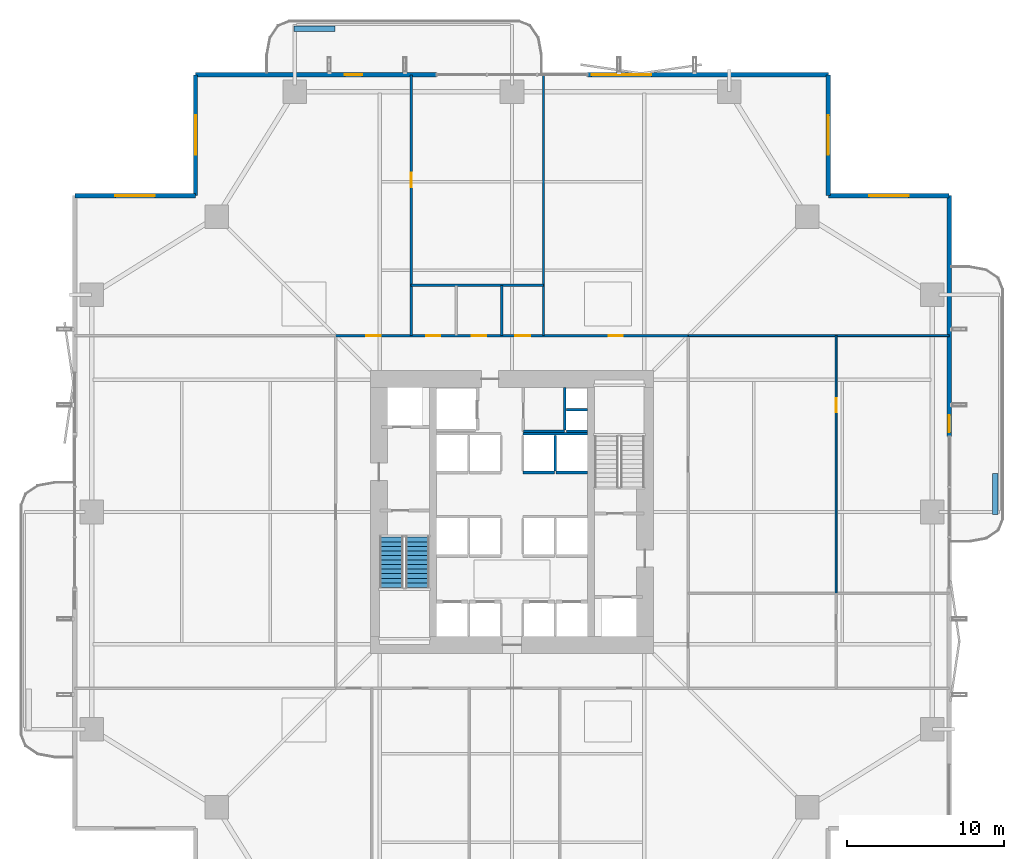
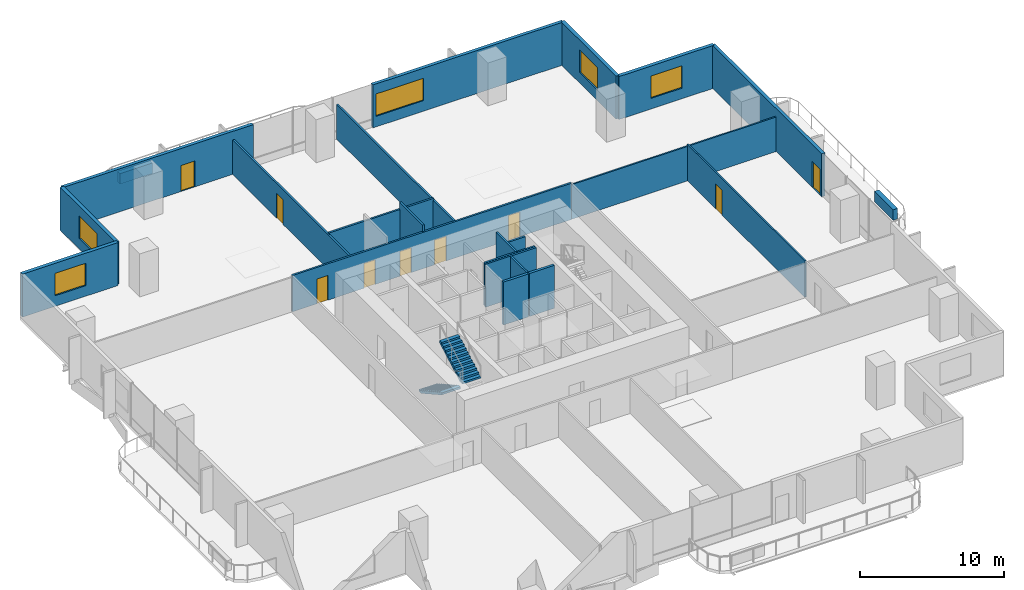
# One storey, part 19 of 24: 24 walls, 9 doors, 5 windows, 2 stair flights, 14 openings, 1 element without a shape of its own.
"""IFC4 building model written with IfcOpenShell, lengths in metres."""

from ifc_helpers import new_model, si_unit, direction, frame, frame_2d, origin, place, context, subcontext, project, spatial, polyline, rectangle, outline, extrude, material, layer, layer_set, type_object, element, fill, aggregate, save


model = new_model("IFC4")

# Units and contexts
model_context = context("Model", 3, precision=1e-05, world=origin(), true_north=direction((0.0, 1.0)))
body_context = subcontext(model_context, "Body", "Model", "MODEL_VIEW")
ifc_project = project(units=[si_unit("LENGTHUNIT", "METRE"), si_unit("AREAUNIT", "SQUARE_METRE"), si_unit("VOLUMEUNIT", "CUBIC_METRE"), si_unit("PLANEANGLEUNIT", "RADIAN"), si_unit("MASSUNIT", "GRAM", prefix="KILO")], contexts=[model_context])

# Site, building, storey
site_placement = place(None, origin())
site = spatial("IfcSite", under=ifc_project, at=site_placement, CompositionType="ELEMENT")
building_placement = place(site_placement, origin())
building = spatial("IfcBuilding", under=site, at=building_placement, Name="Belovzor Exchange Tower", CompositionType="ELEMENT")
storey_placement = place(building_placement, frame((0.0, 0.0, 96.300048828125)))
storey = spatial("IfcBuildingStorey", under=building, at=storey_placement, Name="L23", CompositionType="ELEMENT", Elevation=96.300048828125)

# Wall
ifc_material_1 = material(Name="Acoustic Plasterboard on Galvanised Studs", Category="gypsum")
ifc_layer_1 = layer(ifc_material_1, 0.1201171875)
ifc_layer_set_1 = layer_set([ifc_layer_1], Name="Acoustic Plasterboard on Galvanised Studs")
wall_type_1 = type_object("IfcWallType", Name="Acoustic Double-Stud Partition Wall 120", PredefinedType="PARTITIONING", material=ifc_layer_set_1)
wall_1_placement = place(storey_placement, frame((40.0, 40.0, 0.0), z_axis=(0.0, 0.0, 1.0), x_axis=(1.0, 0.0, 0.0)))
element("IfcWall", 1, at=wall_1_placement, inside=storey, type_object=wall_type_1, Name="W-P120 Partition Wall W-L23-END-NE", PredefinedType="PARTITIONING", context=body_context, shape_type="SweptSolid", body=[
    extrude(rectangle(XDim=16.570068359375, YDim=0.1201171875, at=frame_2d((8.28515625, 0.0))), origin(), (0.0, 0.0, 1.0), 2.93505859375),
])

# Wall, opening, door
wall_2_placement = place(storey_placement, frame((49.387939453125, 23.637939453125, 0.0), z_axis=(0.0, 0.0, 1.0), x_axis=(0.0, 1.0, 0.0)))
wall_2 = element("IfcWall", 2, at=wall_2_placement, inside=storey, type_object=wall_type_1, Name="W-P120 Partition Wall W-L23-EHDIV-1", PredefinedType="PARTITIONING", context=body_context, shape_type="SweptSolid", body=[
    extrude(rectangle(XDim=16.362060546875, YDim=0.1201171875, at=frame_2d((8.18115234375, 0.0))), origin(), (0.0, 0.0, 1.0), 3.0849609375),
])
opening_1_placement = place(wall_2_placement, frame((11.49609375, 0.0, 0.0)))
opening_1 = element("IfcOpeningElement", 3, at=opening_1_placement, cuts=wall_2, Name="Opening D-INT-090", PredefinedType="OPENING", context=body_context, shape_type="SweptSolid", body=[
    extrude(rectangle(XDim=0.89990234375, YDim=2.10009765625, at=frame_2d((0.449951171875, 1.050048828125))), frame((0.0, 0.070068359375, 0.0), z_axis=(0.0, -1.0, 0.0), x_axis=(1.0, 0.0, 0.0)), (0.0, 0.0, 1.0), 0.14013671875),
])
ifc_material_2 = material(Name="Veneered Hardwood Acoustic Leaf", Category="wood")
door_type_1 = type_object("IfcDoorType", Name="Trading Suite Acoustic Single Door 900x2100", OperationType="NOTDEFINED", PredefinedType="DOOR", material=ifc_material_2)
door_1_placement = place(opening_1_placement, origin())
door_1 = element("IfcDoor", 4, at=door_1_placement, inside=storey, type_object=door_type_1, Name="D-INT-090 Trading Suite Acoustic Single Door 900x2100", OperationType="SINGLE_SWING_RIGHT", OverallHeight=2.10009765625, OverallWidth=0.89990234375, PredefinedType="DOOR", context=body_context, shape_type="SweptSolid", body=[
    extrude(rectangle(XDim=0.89990234375, YDim=2.10009765625, at=frame_2d((0.449951171875, 1.050048828125))), frame((0.0, 0.02490234375, 0.0), z_axis=(0.0, -1.0, 0.0), x_axis=(1.0, 0.0, 0.0)), (0.0, 0.0, 1.0), 0.050048828125),
])
fill(opening_1, door_1)

# Walls
ifc_material_3 = material(Name="Fire-Rated Gypsum Block and Mineral Wool", Category="gypsum")
ifc_layer_2 = layer(ifc_material_3, 0.14990234375)
ifc_layer_set_2 = layer_set([ifc_layer_2], Name="Fire-Rated Gypsum Block and Mineral Wool")
wall_type_2 = type_object("IfcWallType", Name="Fire-Rated Gypsum Block Corridor Wall 150", PredefinedType="PARTITIONING", material=ifc_layer_set_2)
wall_3_placement = place(storey_placement, frame((29.52490234375, 33.925048828125, 0.0), z_axis=(0.0, 0.0, 1.0), x_axis=(1.0, 0.0, 0.0)))
element("IfcWall", 5, at=wall_3_placement, inside=storey, type_object=wall_type_2, Name="W-P150 Partition Wall W-CRV-L23-S", PredefinedType="PARTITIONING", context=body_context, shape_type="SweptSolid", body=[
    extrude(rectangle(XDim=2.625, YDim=0.14990234375, at=frame_2d((1.3125, 0.0))), origin(), (0.0, 0.0, 1.0), 3.64990234375),
])
wall_4_placement = place(storey_placement, frame((22.39990234375, 43.199951171875, 0.0), z_axis=(0.0, 0.0, 1.0), x_axis=(1.0, 0.0, 0.0)))
element("IfcWall", 6, at=wall_4_placement, inside=storey, type_object=wall_type_2, Name="W-P150 Partition Wall W-L23-WCN", PredefinedType="PARTITIONING", context=body_context, shape_type="SweptSolid", body=[
    extrude(rectangle(XDim=8.400146484375, YDim=0.14990234375, at=frame_2d((4.2001953125, 0.0))), origin(), (0.0, 0.0, 1.0), 3.0849609375),
])

# Wall, opening, door
wall_5_placement = place(storey_placement, frame((22.39990234375, 40.0, 0.0), z_axis=(0.0, 0.0, 1.0), x_axis=(0.0, 1.0, 0.0)))
wall_5 = element("IfcWall", 7, at=wall_5_placement, inside=storey, type_object=wall_type_2, Name="W-P150 Partition Wall W-L23-WCW", PredefinedType="PARTITIONING", context=body_context, shape_type="SweptSolid", body=[
    extrude(rectangle(XDim=16.570068359375, YDim=0.14990234375, at=frame_2d((8.28515625, 0.0))), origin(), (0.0, 0.0, 1.0), 2.93505859375),
])
opening_2_placement = place(wall_5_placement, frame((9.43505859375, 0.0, 0.0)))
opening_2 = element("IfcOpeningElement", 8, at=opening_2_placement, cuts=wall_5, Name="Opening D-INT-090", PredefinedType="OPENING", context=body_context, shape_type="SweptSolid", body=[
    extrude(rectangle(XDim=0.89990234375, YDim=2.10009765625, at=frame_2d((0.449951171875, 1.050048828125))), frame((0.0, 0.0849609375, 0.0), z_axis=(0.0, -1.0, 0.0), x_axis=(1.0, 0.0, 0.0)), (0.0, 0.0, 1.0), 0.169921875),
])
door_2_placement = place(opening_2_placement, origin())
door_2 = element("IfcDoor", 9, at=door_2_placement, inside=storey, type_object=door_type_1, Name="D-INT-090 Trading Suite Acoustic Single Door 900x2100", OperationType="SINGLE_SWING_LEFT", OverallHeight=2.10009765625, OverallWidth=0.89990234375, PredefinedType="DOOR", context=body_context, shape_type="SweptSolid", body=[
    extrude(rectangle(XDim=0.89990234375, YDim=2.10009765625, at=frame_2d((0.449951171875, 1.050048828125))), frame((0.0, 0.02490234375, 0.0), z_axis=(0.0, -1.0, 0.0), x_axis=(1.0, 0.0, 0.0)), (0.0, 0.0, 1.0), 0.050048828125),
])
fill(opening_2, door_2)

# Walls
wall_6_placement = place(storey_placement, frame((30.800048828125, 40.0, 0.0), z_axis=(0.0, 0.0, 1.0), x_axis=(0.0, 1.0, 0.0)))
element("IfcWall", 10, at=wall_6_placement, inside=storey, type_object=wall_type_2, Name="W-P150 Partition Wall W-L23-WCE", PredefinedType="PARTITIONING", context=body_context, shape_type="SweptSolid", body=[
    extrude(rectangle(XDim=16.570068359375, YDim=0.14990234375, at=frame_2d((8.28515625, 0.0))), origin(), (0.0, 0.0, 1.0), 2.93505859375),
])
wall_7_placement = place(storey_placement, frame((28.14990234375, 40.0, 0.0), z_axis=(0.0, 0.0, 1.0), x_axis=(0.0, 1.0, 0.0)))
element("IfcWall", 11, at=wall_7_placement, inside=storey, type_object=wall_type_2, Name="W-P150 Partition Wall W-L23-WCD2", PredefinedType="PARTITIONING", context=body_context, shape_type="SweptSolid", body=[
    extrude(rectangle(XDim=3.199951171875, YDim=0.14990234375, at=frame_2d((1.60009765625, 0.0))), origin(), (0.0, 0.0, 1.0), 3.64990234375),
])

# Wall, openings, doors
wall_8_placement = place(storey_placement, frame((17.60009765625, 40.0, 0.0), z_axis=(0.0, 0.0, 1.0), x_axis=(1.0, 0.0, 0.0)))
wall_8 = element("IfcWall", 12, at=wall_8_placement, inside=storey, type_object=wall_type_2, Name="W-P150 Partition Wall W-L23-CN", PredefinedType="PARTITIONING", context=body_context, shape_type="SweptSolid", body=[
    extrude(rectangle(XDim=22.39990234375, YDim=0.14990234375, at=frame_2d((11.199951171875, 0.0))), origin(), (0.0, 0.0, 1.0), 3.0849609375),
])
opening_3_placement = place(wall_8_placement, frame((1.949951171875, 0.0, 0.0)))
opening_3 = element("IfcOpeningElement", 13, at=opening_3_placement, cuts=wall_8, Name="Opening D-INT-090", PredefinedType="OPENING", context=body_context, shape_type="SweptSolid", body=[
    extrude(rectangle(XDim=0.89990234375, YDim=2.10009765625, at=frame_2d((0.449951171875, 1.050048828125))), frame((0.0, 0.0849609375, 0.0), z_axis=(0.0, -1.0, 0.0), x_axis=(1.0, 0.0, 0.0)), (0.0, 0.0, 1.0), 0.169921875),
])
opening_4_placement = place(wall_8_placement, frame((5.75, 0.0, 0.0)))
opening_4 = element("IfcOpeningElement", 14, at=opening_4_placement, cuts=wall_8, Name="Opening D-FD60-090", PredefinedType="OPENING", context=body_context, shape_type="SweptSolid", body=[
    extrude(rectangle(XDim=0.89990234375, YDim=2.10009765625, at=frame_2d((0.449951171875, 1.050048828125))), frame((0.0, 0.0849609375, 0.0), z_axis=(0.0, -1.0, 0.0), x_axis=(1.0, 0.0, 0.0)), (0.0, 0.0, 1.0), 0.169921875),
])
opening_5_placement = place(wall_8_placement, frame((8.64990234375, 0.0, 0.0)))
opening_5 = element("IfcOpeningElement", 15, at=opening_5_placement, cuts=wall_8, Name="Opening D-FD60-090", PredefinedType="OPENING", context=body_context, shape_type="SweptSolid", body=[
    extrude(rectangle(XDim=0.89990234375, YDim=2.10009765625, at=frame_2d((0.449951171875, 1.050048828125))), frame((0.0, 0.0849609375, 0.0), z_axis=(0.0, -1.0, 0.0), x_axis=(1.0, 0.0, 0.0)), (0.0, 0.0, 1.0), 0.169921875),
])
opening_6_placement = place(wall_8_placement, frame((11.39990234375, 0.0, 0.0)))
opening_6 = element("IfcOpeningElement", 16, at=opening_6_placement, cuts=wall_8, Name="Opening D-FD60-095", PredefinedType="OPENING", context=body_context, shape_type="SweptSolid", body=[
    extrude(rectangle(XDim=0.949951171875, YDim=2.10009765625, at=frame_2d((0.47509765625, 1.050048828125))), frame((0.0, 0.0849609375, 0.0), z_axis=(0.0, -1.0, 0.0), x_axis=(1.0, 0.0, 0.0)), (0.0, 0.0, 1.0), 0.169921875),
])
opening_7_placement = place(wall_8_placement, frame((17.35009765625, 0.0, 0.0)))
opening_7 = element("IfcOpeningElement", 17, at=opening_7_placement, cuts=wall_8, Name="Opening D-INT-090", PredefinedType="OPENING", context=body_context, shape_type="SweptSolid", body=[
    extrude(rectangle(XDim=0.89990234375, YDim=2.10009765625, at=frame_2d((0.449951171875, 1.050048828125))), frame((0.0, 0.0849609375, 0.0), z_axis=(0.0, -1.0, 0.0), x_axis=(1.0, 0.0, 0.0)), (0.0, 0.0, 1.0), 0.169921875),
])
ifc_material_4 = material(Name="Moisture-Resistant Timber Fire Leaf", Category="wood")
door_type_2 = type_object("IfcDoorType", Name="Accessible Restroom Wide Fire Door 950x2100", OperationType="NOTDEFINED", PredefinedType="DOOR", material=ifc_material_4)
door_3_placement = place(opening_6_placement, origin())
door_3 = element("IfcDoor", 18, at=door_3_placement, inside=storey, type_object=door_type_2, Name="D-FD60-095 Accessible Restroom Wide Fire Door 950x2100", OperationType="SINGLE_SWING_LEFT", OverallHeight=2.10009765625, OverallWidth=0.949951171875, PredefinedType="DOOR", context=body_context, shape_type="SweptSolid", body=[
    extrude(rectangle(XDim=0.949951171875, YDim=2.10009765625, at=frame_2d((0.47509765625, 1.050048828125))), frame((0.0, 0.02490234375, 0.0), z_axis=(0.0, -1.0, 0.0), x_axis=(1.0, 0.0, 0.0)), (0.0, 0.0, 1.0), 0.050048828125),
])
fill(opening_6, door_3)
ifc_material_5 = material(Name="Acoustic Timber Fire Leaf", Category="wood")
door_type_3 = type_object("IfcDoorType", Name="Core Service & Restroom Fire Door 900x2100", OperationType="NOTDEFINED", PredefinedType="DOOR", material=ifc_material_5)
door_4_placement = place(opening_4_placement, origin())
door_4 = element("IfcDoor", 19, at=door_4_placement, inside=storey, type_object=door_type_3, Name="D-FD60-090 Core Service & Restroom Fire Door 900x2100", OperationType="SINGLE_SWING_LEFT", OverallHeight=2.10009765625, OverallWidth=0.89990234375, PredefinedType="DOOR", context=body_context, shape_type="SweptSolid", body=[
    extrude(rectangle(XDim=0.89990234375, YDim=2.10009765625, at=frame_2d((0.449951171875, 1.050048828125))), frame((0.0, 0.02490234375, 0.0), z_axis=(0.0, -1.0, 0.0), x_axis=(1.0, 0.0, 0.0)), (0.0, 0.0, 1.0), 0.050048828125),
])
fill(opening_4, door_4)
door_5_placement = place(opening_5_placement, origin())
door_5 = element("IfcDoor", 20, at=door_5_placement, inside=storey, type_object=door_type_3, Name="D-FD60-090 Core Service & Restroom Fire Door 900x2100", OperationType="SINGLE_SWING_RIGHT", OverallHeight=2.10009765625, OverallWidth=0.89990234375, PredefinedType="DOOR", context=body_context, shape_type="SweptSolid", body=[
    extrude(rectangle(XDim=0.89990234375, YDim=2.10009765625, at=frame_2d((0.449951171875, 1.050048828125))), frame((0.0, 0.02490234375, 0.0), z_axis=(0.0, -1.0, 0.0), x_axis=(1.0, 0.0, 0.0)), (0.0, 0.0, 1.0), 0.050048828125),
])
fill(opening_5, door_5)
door_6_placement = place(opening_3_placement, origin())
door_6 = element("IfcDoor", 21, at=door_6_placement, inside=storey, type_object=door_type_1, Name="D-INT-090 Trading Suite Acoustic Single Door 900x2100", OperationType="SINGLE_SWING_LEFT", OverallHeight=2.10009765625, OverallWidth=0.89990234375, PredefinedType="DOOR", context=body_context, shape_type="SweptSolid", body=[
    extrude(rectangle(XDim=0.89990234375, YDim=2.10009765625, at=frame_2d((0.449951171875, 1.050048828125))), frame((0.0, 0.02490234375, 0.0), z_axis=(0.0, -1.0, 0.0), x_axis=(1.0, 0.0, 0.0)), (0.0, 0.0, 1.0), 0.050048828125),
])
fill(opening_3, door_6)
door_7_placement = place(opening_7_placement, origin())
door_7 = element("IfcDoor", 22, at=door_7_placement, inside=storey, type_object=door_type_1, Name="D-INT-090 Trading Suite Acoustic Single Door 900x2100", OperationType="SINGLE_SWING_RIGHT", OverallHeight=2.10009765625, OverallWidth=0.89990234375, PredefinedType="DOOR", context=body_context, shape_type="SweptSolid", body=[
    extrude(rectangle(XDim=0.89990234375, YDim=2.10009765625, at=frame_2d((0.449951171875, 1.050048828125))), frame((0.0, 0.02490234375, 0.0), z_axis=(0.0, -1.0, 0.0), x_axis=(1.0, 0.0, 0.0)), (0.0, 0.0, 1.0), 0.050048828125),
])
fill(opening_7, door_7)

# Wall, opening, window
ifc_material_6 = material(Name="Precast concrete C40/50", Category="concrete")
ifc_layer_3 = layer(ifc_material_6, 0.280029296875)
ifc_layer_set_3 = layer_set([ifc_layer_3], Name="Precast concrete C40/50")
wall_type_3 = type_object("IfcWallType", Name="Precast Concrete Notched Corner Frame Wall 280", PredefinedType="SOLIDWALL", material=ifc_layer_set_3)
wall_9_placement = place(storey_placement, frame((1.030029296875, 48.89990234375, 0.0), z_axis=(0.0, 0.0, 1.0), x_axis=(1.0, 0.0, 0.0)))
wall_9 = element("IfcWall", 23, at=wall_9_placement, inside=storey, type_object=wall_type_3, Name="W-CRN280 Precast Concrete Notched Corner Frame Wall 280 L23", PredefinedType="SOLIDWALL", context=body_context, shape_type="SweptSolid", body=[
    extrude(rectangle(XDim=7.669921875, YDim=0.280029296875, at=frame_2d((3.8349609375, 0.0))), origin(), (0.0, 0.0, 1.0), 3.64990234375),
])
opening_8_placement = place(wall_9_placement, frame((2.5849609375, 0.0, 0.89990234375)))
opening_8 = element("IfcOpeningElement", 24, at=opening_8_placement, cuts=wall_9, Name="Opening WN-CRN250", PredefinedType="OPENING", context=body_context, shape_type="SweptSolid", body=[
    extrude(rectangle(XDim=2.5, YDim=1.89990234375, at=frame_2d((1.25, 0.949951171875))), frame((0.0, 0.14990234375, 0.0), z_axis=(0.0, -1.0, 0.0), x_axis=(1.0, 0.0, 0.0)), (0.0, 0.0, 1.0), 0.300048828125),
])
ifc_material_7 = material(Name="Thermally Broken Aluminium and Triple Glazing", Category="aluminium")
window_type_1 = type_object("IfcWindowType", Name="Streamline Moderne Corner Wrap Ribbon Window 2500x1900", PartitioningType="SINGLE_PANEL", PredefinedType="WINDOW", material=ifc_material_7)
window_1_placement = place(opening_8_placement, origin())
window_1 = element("IfcWindow", 25, at=window_1_placement, inside=storey, type_object=window_type_1, Name="WN-CRN250 Streamline Moderne Corner Wrap Ribbon Window 2500x1900", OverallHeight=1.89990234375, OverallWidth=2.5, PartitioningType="SINGLE_PANEL", PredefinedType="WINDOW", context=body_context, shape_type="SweptSolid", body=[
    extrude(rectangle(XDim=2.5, YDim=1.89990234375, at=frame_2d((1.25, 0.949951171875))), frame((0.0, 0.030029296875, 0.0), z_axis=(0.0, -1.0, 0.0), x_axis=(1.0, 0.0, 0.0)), (0.0, 0.0, 1.0), 0.06005859375),
])
fill(opening_8, window_1)

wall_10_placement = place(storey_placement, frame((8.699951171875, 48.89990234375, 0.0), z_axis=(0.0, 0.0, 1.0), x_axis=(0.0, 1.0, 0.0)))
wall_10 = element("IfcWall", 26, at=wall_10_placement, inside=storey, type_object=wall_type_3, Name="W-CRN280 Precast Concrete Notched Corner Frame Wall 280 L23", PredefinedType="SOLIDWALL", context=body_context, shape_type="SweptSolid", body=[
    extrude(rectangle(XDim=7.670166015625, YDim=0.280029296875, at=frame_2d((3.8349609375, 0.0))), origin(), (0.0, 0.0, 1.0), 3.64990234375),
])
opening_9_placement = place(wall_10_placement, frame((2.5849609375, 0.0, 0.89990234375)))
opening_9 = element("IfcOpeningElement", 27, at=opening_9_placement, cuts=wall_10, Name="Opening WN-CRN250", PredefinedType="OPENING", context=body_context, shape_type="SweptSolid", body=[
    extrude(rectangle(XDim=2.5, YDim=1.89990234375, at=frame_2d((1.25, 0.949951171875))), frame((0.0, 0.14990234375, 0.0), z_axis=(0.0, -1.0, 0.0), x_axis=(1.0, 0.0, 0.0)), (0.0, 0.0, 1.0), 0.300048828125),
])
window_2_placement = place(opening_9_placement, origin())
window_2 = element("IfcWindow", 28, at=window_2_placement, inside=storey, type_object=window_type_1, Name="WN-CRN250 Streamline Moderne Corner Wrap Ribbon Window 2500x1900", OverallHeight=1.89990234375, OverallWidth=2.5, PartitioningType="SINGLE_PANEL", PredefinedType="WINDOW", context=body_context, shape_type="SweptSolid", body=[
    extrude(rectangle(XDim=2.5, YDim=1.89990234375, at=frame_2d((1.25, 0.949951171875))), frame((0.0, 0.030029296875, 0.0), z_axis=(0.0, -1.0, 0.0), x_axis=(1.0, 0.0, 0.0)), (0.0, 0.0, 1.0), 0.06005859375),
])
fill(opening_9, window_2)

wall_11_placement = place(storey_placement, frame((48.89990234375, 56.570068359375, 0.0), z_axis=(0.0, 0.0, 1.0), x_axis=(0.0, -1.0, 0.0)))
wall_11 = element("IfcWall", 29, at=wall_11_placement, inside=storey, type_object=wall_type_3, Name="W-CRN280 Precast Concrete Notched Corner Frame Wall 280 L23", PredefinedType="SOLIDWALL", context=body_context, shape_type="SweptSolid", body=[
    extrude(rectangle(XDim=7.670166015625, YDim=0.280029296875, at=frame_2d((3.8349609375, 0.0))), origin(), (0.0, 0.0, 1.0), 3.64990234375),
])
opening_10_placement = place(wall_11_placement, frame((2.5849609375, 0.0, 0.89990234375)))
opening_10 = element("IfcOpeningElement", 30, at=opening_10_placement, cuts=wall_11, Name="Opening WN-CRN250", PredefinedType="OPENING", context=body_context, shape_type="SweptSolid", body=[
    extrude(rectangle(XDim=2.5, YDim=1.89990234375, at=frame_2d((1.25, 0.949951171875))), frame((0.0, 0.14990234375, 0.0), z_axis=(0.0, -1.0, 0.0), x_axis=(1.0, 0.0, 0.0)), (0.0, 0.0, 1.0), 0.300048828125),
])
window_3_placement = place(opening_10_placement, origin())
window_3 = element("IfcWindow", 31, at=window_3_placement, inside=storey, type_object=window_type_1, Name="WN-CRN250 Streamline Moderne Corner Wrap Ribbon Window 2500x1900", OverallHeight=1.89990234375, OverallWidth=2.5, PartitioningType="SINGLE_PANEL", PredefinedType="WINDOW", context=body_context, shape_type="SweptSolid", body=[
    extrude(rectangle(XDim=2.5, YDim=1.89990234375, at=frame_2d((1.25, 0.949951171875))), frame((0.0, 0.030029296875, 0.0), z_axis=(0.0, -1.0, 0.0), x_axis=(1.0, 0.0, 0.0)), (0.0, 0.0, 1.0), 0.06005859375),
])
fill(opening_10, window_3)

wall_12_placement = place(storey_placement, frame((48.89990234375, 48.89990234375, 0.0), z_axis=(0.0, 0.0, 1.0), x_axis=(1.0, 0.0, 0.0)))
wall_12 = element("IfcWall", 32, at=wall_12_placement, inside=storey, type_object=wall_type_3, Name="W-CRN280 Precast Concrete Notched Corner Frame Wall 280 L23", PredefinedType="SOLIDWALL", context=body_context, shape_type="SweptSolid", body=[
    extrude(rectangle(XDim=7.670166015625, YDim=0.280029296875, at=frame_2d((3.8349609375, 0.0))), origin(), (0.0, 0.0, 1.0), 3.64990234375),
])
opening_11_placement = place(wall_12_placement, frame((2.5849609375, 0.0, 0.89990234375)))
opening_11 = element("IfcOpeningElement", 33, at=opening_11_placement, cuts=wall_12, Name="Opening WN-CRN250", PredefinedType="OPENING", context=body_context, shape_type="SweptSolid", body=[
    extrude(rectangle(XDim=2.5, YDim=1.89990234375, at=frame_2d((1.25, 0.949951171875))), frame((0.0, 0.14990234375, 0.0), z_axis=(0.0, -1.0, 0.0), x_axis=(1.0, 0.0, 0.0)), (0.0, 0.0, 1.0), 0.300048828125),
])
window_4_placement = place(opening_11_placement, origin())
window_4 = element("IfcWindow", 34, at=window_4_placement, inside=storey, type_object=window_type_1, Name="WN-CRN250 Streamline Moderne Corner Wrap Ribbon Window 2500x1900", OverallHeight=1.89990234375, OverallWidth=2.5, PartitioningType="SINGLE_PANEL", PredefinedType="WINDOW", context=body_context, shape_type="SweptSolid", body=[
    extrude(rectangle(XDim=2.5, YDim=1.89990234375, at=frame_2d((1.25, 0.949951171875))), frame((0.0, 0.030029296875, 0.0), z_axis=(0.0, -1.0, 0.0), x_axis=(1.0, 0.0, 0.0)), (0.0, 0.0, 1.0), 0.06005859375),
])
fill(opening_11, window_4)

# Wall, opening, door
ifc_material_8 = material(Name="Precast concrete C40/50", Category="concrete")
ifc_layer_4 = layer(ifc_material_8, 0.260009765625)
ifc_layer_set_4 = layer_set([ifc_layer_4], Name="Precast concrete C40/50")
wall_type_4 = type_object("IfcWallType", Name="Precast Concrete Perimeter Loggia Frame Wall 260", PredefinedType="SOLIDWALL", material=ifc_layer_set_4)
wall_13_placement = place(storey_placement, frame((8.699951171875, 56.570068359375, 0.0), z_axis=(0.0, 0.0, 1.0), x_axis=(1.0, 0.0, 0.0)))
wall_13 = element("IfcWall", 35, at=wall_13_placement, inside=storey, type_object=wall_type_4, Name="W-EXT260 Precast Concrete Perimeter Loggia Frame Wall 260 L23", PredefinedType="SOLIDWALL", context=body_context, shape_type="SweptSolid", body=[
    extrude(rectangle(XDim=15.300048828125, YDim=0.260009765625, at=frame_2d((7.64990234375, 0.0))), origin(), (0.0, 0.0, 1.0), 3.64990234375),
])
opening_12_placement = place(wall_13_placement, frame((9.485107421875, 0.0, 0.0)))
opening_12 = element("IfcOpeningElement", 36, at=opening_12_placement, cuts=wall_13, Name="Opening D-BAL110", PredefinedType="OPENING", context=body_context, shape_type="SweptSolid", body=[
    extrude(rectangle(XDim=1.10009765625, YDim=2.199951171875, at=frame_2d((0.550048828125, 1.10009765625))), frame((0.0, 0.139892578125, 0.0), z_axis=(0.0, -1.0, 0.0), x_axis=(1.0, 0.0, 0.0)), (0.0, 0.0, 1.0), 0.280029296875),
])
ifc_material_9 = material(Name="Thermally Broken Anodised Aluminium and Laminated Glass", Category="aluminium")
door_type_4 = type_object("IfcDoorType", Name="Planted Loggia Terrace Glazed Door 1100x2200", OperationType="SINGLE_SWING_LEFT", PredefinedType="DOOR", material=ifc_material_9)
door_8_placement = place(opening_12_placement, origin())
door_8 = element("IfcDoor", 37, at=door_8_placement, inside=storey, type_object=door_type_4, Name="D-BAL110 Balcony Terrace Door L23 N", OperationType="SINGLE_SWING_RIGHT", OverallHeight=2.199951171875, OverallWidth=1.10009765625, PredefinedType="DOOR", context=body_context, shape_type="SweptSolid", body=[
    extrude(rectangle(XDim=1.10009765625, YDim=2.199951171875, at=frame_2d((0.550048828125, 1.10009765625))), frame((0.0, 0.02490234375, 0.0), z_axis=(0.0, -1.0, 0.0), x_axis=(1.0, 0.0, 0.0)), (0.0, 0.0, 1.0), 0.050048828125),
])
fill(opening_12, door_8)

# Wall, opening, window
wall_14_placement = place(storey_placement, frame((33.60009765625, 56.570068359375, 0.0), z_axis=(0.0, 0.0, 1.0), x_axis=(1.0, 0.0, 0.0)))
wall_14 = element("IfcWall", 38, at=wall_14_placement, inside=storey, type_object=wall_type_4, Name="W-EXT260 Precast Concrete Perimeter Loggia Frame Wall 260 L23", PredefinedType="SOLIDWALL", context=body_context, shape_type="SweptSolid", body=[
    extrude(rectangle(XDim=15.2998046875, YDim=0.260009765625, at=frame_2d((7.64990234375, 0.0))), origin(), (0.0, 0.0, 1.0), 3.64990234375),
])
opening_13_placement = place(wall_14_placement, frame((0.25, 0.0, 0.89990234375)))
opening_13 = element("IfcOpeningElement", 39, at=opening_13_placement, cuts=wall_14, Name="Opening WN-RIB380", PredefinedType="OPENING", context=body_context, shape_type="SweptSolid", body=[
    extrude(rectangle(XDim=3.800048828125, YDim=1.89990234375, at=frame_2d((1.89990234375, 0.949951171875))), frame((0.0, 0.139892578125, 0.0), z_axis=(0.0, -1.0, 0.0), x_axis=(1.0, 0.0, 0.0)), (0.0, 0.0, 1.0), 0.280029296875),
])
ifc_material_10 = material(Name="Thermally Broken Aluminium and Triple Glazing", Category="aluminium")
window_type_2 = type_object("IfcWindowType", Name="Streamline Moderne Horizontal Ribbon Window 3800x1900", PartitioningType="SINGLE_PANEL", PredefinedType="WINDOW", material=ifc_material_10)
window_5_placement = place(opening_13_placement, origin())
window_5 = element("IfcWindow", 40, at=window_5_placement, inside=storey, type_object=window_type_2, Name="WN-RIB380 Streamline Moderne Horizontal Ribbon Window 3800x1900", OverallHeight=1.89990234375, OverallWidth=3.800048828125, PartitioningType="SINGLE_PANEL", PredefinedType="WINDOW", context=body_context, shape_type="SweptSolid", body=[
    extrude(rectangle(XDim=3.800048828125, YDim=1.89990234375, at=frame_2d((1.89990234375, 0.949951171875))), frame((0.0, 0.030029296875, 0.0), z_axis=(0.0, -1.0, 0.0), x_axis=(1.0, 0.0, 0.0)), (0.0, 0.0, 1.0), 0.06005859375),
])
fill(opening_13, window_5)

# Wall, opening, door
wall_15_placement = place(storey_placement, frame((56.570068359375, 48.89990234375, 0.0), z_axis=(0.0, 0.0, 1.0), x_axis=(0.0, -1.0, 0.0)))
wall_15 = element("IfcWall", 41, at=wall_15_placement, inside=storey, type_object=wall_type_4, Name="W-EXT260 Precast Concrete Perimeter Loggia Frame Wall 260 L23", PredefinedType="SOLIDWALL", context=body_context, shape_type="SweptSolid", body=[
    extrude(rectangle(XDim=15.2998046875, YDim=0.260009765625, at=frame_2d((7.64990234375, 0.0))), origin(), (0.0, 0.0, 1.0), 3.64990234375),
])
opening_14_placement = place(wall_15_placement, frame((13.949951171875, 0.0, 0.0)))
opening_14 = element("IfcOpeningElement", 42, at=opening_14_placement, cuts=wall_15, Name="Opening D-BAL110", PredefinedType="OPENING", context=body_context, shape_type="SweptSolid", body=[
    extrude(rectangle(XDim=1.10009765625, YDim=2.199951171875, at=frame_2d((0.550048828125, 1.10009765625))), frame((0.0, 0.139892578125, 0.0), z_axis=(0.0, -1.0, 0.0), x_axis=(1.0, 0.0, 0.0)), (0.0, 0.0, 1.0), 0.280029296875),
])
door_9_placement = place(opening_14_placement, origin())
door_9 = element("IfcDoor", 43, at=door_9_placement, inside=storey, type_object=door_type_4, Name="D-BAL110 Balcony Terrace Door L23 E", OperationType="SINGLE_SWING_LEFT", OverallHeight=2.199951171875, OverallWidth=1.10009765625, PredefinedType="DOOR", context=body_context, shape_type="SweptSolid", body=[
    extrude(rectangle(XDim=1.10009765625, YDim=2.199951171875, at=frame_2d((0.550048828125, 1.10009765625))), frame((0.0, 0.02490234375, 0.0), z_axis=(0.0, -1.0, 0.0), x_axis=(1.0, 0.0, 0.0)), (0.0, 0.0, 1.0), 0.050048828125),
])
fill(opening_14, door_9)

# Walls
ifc_material_11 = material(Name="Precast concrete C40/50", Category="concrete")
ifc_layer_5 = layer(ifc_material_11, 0.35009765625)
ifc_layer_set_5 = layer_set([ifc_layer_5], Name="Precast concrete C40/50")
wall_type_5 = type_object("IfcWallType", Name="Precast Concrete Structural Tree Planter Trough 350", PredefinedType="PARAPET", material=ifc_layer_set_5)
for number, where, z_axis, x_axis, name in (
    (44, (14.949951171875, 59.5, 0.0), (0.0, 0.0, 1.0), (1.0, 0.0, 0.0), "PT-350 Precast Concrete Structural Tree Planter Trough 350 L23"),
    (45, (59.5, 28.64990234375, 0.0), (0.0, 0.0, 1.0), (0.0, 1.0, 0.0), "PT-350 Precast Concrete Structural Tree Planter Trough 350 L23"),
):
    element("IfcWall", number, at=place(storey_placement, frame(where, z_axis=z_axis, x_axis=x_axis)), inside=storey, type_object=wall_type_5, Name=name, PredefinedType="PARAPET", context=body_context, shape_type="SweptSolid", body=[
        extrude(rectangle(XDim=2.60009765625, YDim=0.35009765625, at=frame_2d((1.300048828125, 0.0))), origin(), (0.0, 0.0, 1.0), 0.89990234375),
    ])
ifc_material_12 = material(Name="Concrete C50/60", Category="concrete")
ifc_layer_6 = layer(ifc_material_12, 0.14990234375)
ifc_layer_set_6 = layer_set([ifc_layer_6], Name="Concrete C50/60")
wall_type_6 = type_object("IfcWallType", Name="Reinforced Concrete Core Riser Shear Wall 150", PredefinedType="SHEAR", material=ifc_layer_set_6)
wall_16_placement = place(storey_placement, frame((32.14990234375, 34.0, 0.0), z_axis=(0.0, 0.0, 1.0), x_axis=(0.0, 1.0, 0.0)))
element("IfcWall", 46, at=wall_16_placement, inside=storey, type_object=wall_type_6, Name="W-C150S Core Shaft Wall W-RSR-L23-E", PredefinedType="SHEAR", context=body_context, shape_type="SweptSolid", body=[
    extrude(rectangle(XDim=2.699951171875, YDim=0.14990234375, at=frame_2d((1.35009765625, 0.0))), origin(), (0.0, 0.0, 1.0), 3.64990234375),
])
for number, where, z_axis, x_axis, name in (
    (47, (32.25, 33.925048828125, 0.0), (0.0, 0.0, 1.0), (1.0, 0.0, 0.0), "W-C150S Core Shaft Wall W-RSR-L23-S"),
    (48, (32.25, 35.300048828125, 0.0), (0.0, 0.0, 1.0), (1.0, 0.0, 0.0), "W-C150S Core Shaft Wall W-RSR-L23-M"),
):
    element("IfcWall", number, at=place(storey_placement, frame(where, z_axis=z_axis, x_axis=x_axis)), inside=storey, type_object=wall_type_6, Name=name, PredefinedType="SHEAR", context=body_context, shape_type="SweptSolid", body=[
        extrude(rectangle(XDim=1.330078125, YDim=0.14990234375, at=frame_2d((0.6650390625, 0.0))), origin(), (0.0, 0.0, 1.0), 3.64990234375),
    ])
wall_17_placement = place(storey_placement, frame((29.5, 33.760009765625, 0.0), z_axis=(0.0, 0.0, 1.0), x_axis=(1.0, 0.0, 0.0)))
element("IfcWall", 49, at=wall_17_placement, inside=storey, type_object=wall_type_6, Name="W-C150S Core Shaft Wall W-SHB-L23-PLH-NE", PredefinedType="SHEAR", context=body_context, shape_type="SweptSolid", body=[
    extrude(rectangle(XDim=4.080078125, YDim=0.14990234375, at=frame_2d((2.0400390625, 0.0))), origin(), (0.0, 0.0, 1.0), 3.64990234375),
])
wall_18_placement = place(storey_placement, frame((31.550048828125, 31.419921875, 0.0), z_axis=(0.0, 0.0, 1.0), x_axis=(0.0, 1.0, 0.0)))
element("IfcWall", 50, at=wall_18_placement, inside=storey, type_object=wall_type_6, Name="W-C150S Core Shaft Wall W-SHD-L23-PLH-4", PredefinedType="SHEAR", context=body_context, shape_type="SweptSolid", body=[
    extrude(rectangle(XDim=2.239990234375, YDim=0.14990234375, at=frame_2d((1.1201171875, 0.0))), origin(), (0.0, 0.0, 1.0), 3.64990234375),
])
ifc_material_13 = material(Name="Concrete C50/60", Category="concrete")
ifc_layer_7 = layer(ifc_material_13, 0.199951171875)
ifc_layer_set_7 = layer_set([ifc_layer_7], Name="Concrete C50/60")
wall_type_7 = type_object("IfcWallType", Name="Reinforced Concrete Core Shaft Shear Wall 200", PredefinedType="SHEAR", material=ifc_layer_set_7)
for number, where, z_axis, x_axis, name in (
    (51, (29.5, 31.300048828125, 0.0), (0.0, 0.0, 1.0), (1.0, 0.0, 0.0), "W-C200S Core Shaft Wall W-SH-L23-PL-H3"),
    (52, (31.60009765625, 31.300048828125, 0.0), (0.0, 0.0, 1.0), (1.0, 0.0, 0.0), "W-C200S Core Shaft Wall W-SH-L23-PL-H4"),
):
    element("IfcWall", number, at=place(storey_placement, frame(where, z_axis=z_axis, x_axis=x_axis)), inside=storey, type_object=wall_type_7, Name=name, PredefinedType="SHEAR", context=body_context, shape_type="SweptSolid", body=[
        extrude(rectangle(XDim=2.0, YDim=0.199951171875, at=frame_2d((1.0, 0.0))), origin(), (0.0, 0.0, 1.0), 3.64990234375),
    ])

# Stair, stair flights
ifc_material_14 = material(Name="Concrete C40/50", Category="concrete")
stair_type = type_object("IfcStairType", Name="Reinforced Concrete Dogleg Escape Stair 1350", PredefinedType="HALF_TURN_STAIR", material=ifc_material_14)
stair_placement = place(storey_placement, origin())
stair = element("IfcStair", 53, at=stair_placement, inside=storey, type_object=stair_type, Name="L23 ST-1", PredefinedType="HALF_TURN_STAIR")
ifc_material_15 = material(Name="Concrete C40/50", Category="concrete")
stair_flight_type = type_object("IfcStairFlightType", Name="Reinforced Concrete Stair Flight 1350", PredefinedType="STRAIGHT", material=ifc_material_15)
stair_flight_1_placement = place(storey_placement, frame((21.14990234375, 27.199951171875, 0.0), z_axis=(0.0, 0.0, 1.0), x_axis=(0.0, -1.0, 0.0)))
stair_flight_1 = element("IfcStairFlight", 54, at=stair_flight_1_placement, type_object=stair_flight_type, Name="ST-1 flight 1", NumberOfRisers=12, NumberOfTreads=11, PredefinedType="STRAIGHT", RiserHeight=0.1625, TreadLength=0.29, context=body_context, shape_type="SweptSolid", body=[
    extrude(outline(polyline([(0.0, 0.0), (0.0, 0.16259765625), (0.2900390625, 0.16259765625), (0.2900390625, 0.324951171875), (0.580078125, 0.324951171875), (0.580078125, 0.487548828125), (0.8701171875, 0.487548828125), (0.8701171875, 0.64990234375), (1.159912109375, 0.64990234375), (1.159912109375, 0.8125), (1.449951171875, 0.8125), (1.449951171875, 0.97509765625), (1.739990234375, 0.97509765625), (1.739990234375, 1.137451171875), (2.030029296875, 1.137451171875), (2.030029296875, 1.300048828125), (2.320068359375, 1.300048828125), (2.320068359375, 1.46240234375), (2.610107421875, 1.46240234375), (2.610107421875, 1.625), (2.89990234375, 1.625), (2.89990234375, 1.78759765625), (3.18994140625, 1.78759765625), (3.18994140625, 1.949951171875), (3.18994140625, 1.61572265625), (0.306640625, 0.0), (0.0, 0.0)])), frame((0.0, 0.75, 0.0), z_axis=(0.0, -1.0, 0.0), x_axis=(1.0, 0.0, 0.0)), (0.0, 0.0, 1.0), 1.5),
])
stair_flight_2_placement = place(storey_placement, frame((22.800048828125, 24.010009765625, 1.949951171875), z_axis=(0.0, 0.0, 1.0), x_axis=(0.0, 1.0, 0.0)))
stair_flight_2 = element("IfcStairFlight", 55, at=stair_flight_2_placement, type_object=stair_flight_type, Name="ST-1 flight 2", NumberOfRisers=12, NumberOfTreads=11, PredefinedType="STRAIGHT", RiserHeight=0.1625, TreadLength=0.29, context=body_context, shape_type="SweptSolid", body=[
    extrude(outline(polyline([(0.0, 0.0), (0.0, 0.16259765625), (0.2900390625, 0.16259765625), (0.2900390625, 0.324951171875), (0.580078125, 0.324951171875), (0.580078125, 0.487548828125), (0.8701171875, 0.487548828125), (0.8701171875, 0.64990234375), (1.159912109375, 0.64990234375), (1.159912109375, 0.8125), (1.449951171875, 0.8125), (1.449951171875, 0.97509765625), (1.739990234375, 0.97509765625), (1.739990234375, 1.137451171875), (2.030029296875, 1.137451171875), (2.030029296875, 1.300048828125), (2.320068359375, 1.300048828125), (2.320068359375, 1.46240234375), (2.610107421875, 1.46240234375), (2.610107421875, 1.625), (2.89990234375, 1.625), (2.89990234375, 1.78759765625), (3.18994140625, 1.78759765625), (3.18994140625, 1.949951171875), (3.18994140625, 1.61572265625), (0.306640625, 0.0), (0.0, 0.0)])), frame((0.0, 0.75, 0.0), z_axis=(0.0, -1.0, 0.0), x_axis=(1.0, 0.0, 0.0)), (0.0, 0.0, 1.0), 1.5),
])
aggregate(stair, [stair_flight_1, stair_flight_2])

save(model, "model.ifc")
